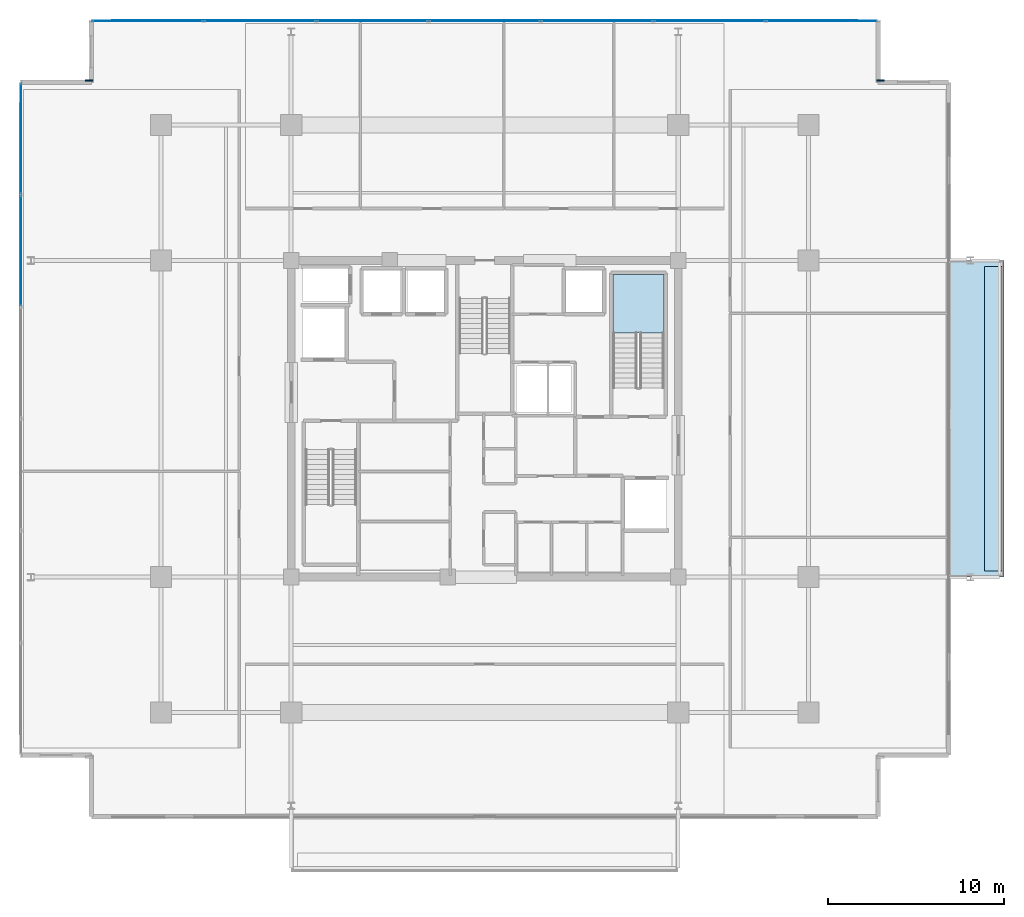
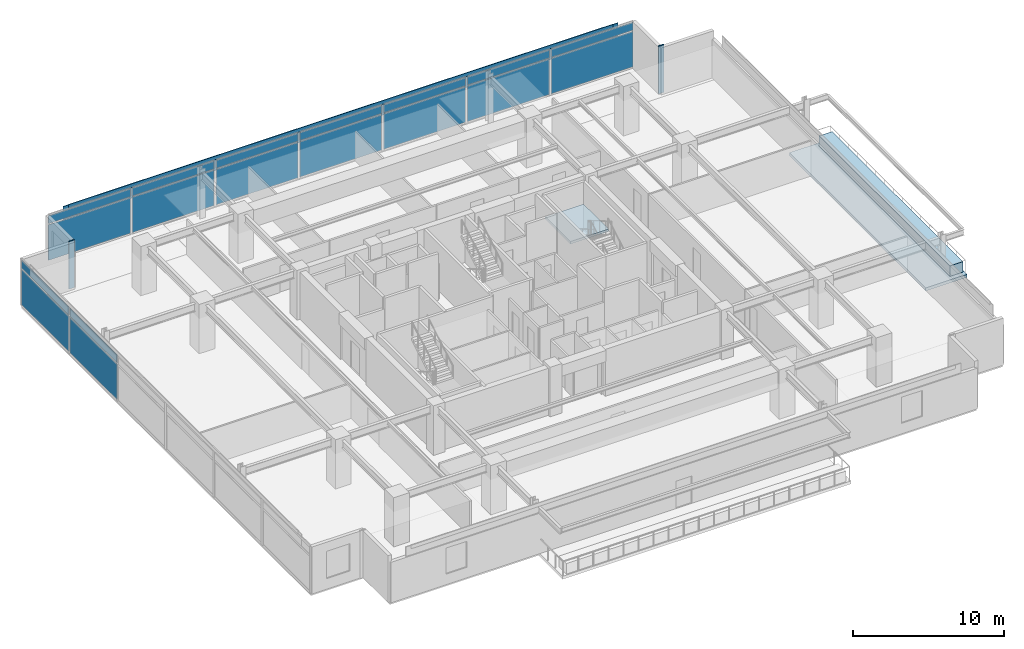
# One storey, part 15 of 24: 22 plates, 3 slabs, 3 elements without a shape of their own.
"""IFC4 building model written with IfcOpenShell, lengths in metres."""

from ifc_helpers import new_model, si_unit, direction, frame, origin, origin_2d, place, context, subcontext, project, spatial, polyline, rectangle, outline, extrude, material, layer, layer_set, type_object, element, aggregate, save


model = new_model("IFC4")

# Units and contexts
model_context = context("Model", 3, precision=1e-05, world=origin(), true_north=direction((0.0, 1.0)))
body_context = subcontext(model_context, "Body", "Model", "MODEL_VIEW")
ifc_project = project(units=[si_unit("LENGTHUNIT", "METRE"), si_unit("AREAUNIT", "SQUARE_METRE"), si_unit("VOLUMEUNIT", "CUBIC_METRE"), si_unit("PLANEANGLEUNIT", "RADIAN"), si_unit("MASSUNIT", "GRAM", prefix="KILO")], contexts=[model_context])

# Site, building, storey
site_placement = place(None, origin())
site = spatial("IfcSite", under=ifc_project, at=site_placement, CompositionType="ELEMENT")
building_placement = place(site_placement, origin())
building = spatial("IfcBuilding", under=site, at=building_placement, Name="Kovane Verandah Tower", CompositionType="ELEMENT")
storey_placement = place(building_placement, frame((0.0, 0.0, 259.199951171875)))
storey = spatial("IfcBuildingStorey", under=building, at=storey_placement, Name="L60", CompositionType="ELEMENT", Elevation=259.199951171875)

# Curtain wall, plates
ifc_material_1 = material(Name="Champagne Anodised Aluminium Frame with Low-E Clear Laminated Glass", Category="aluminium")
curtain_wall_type = type_object("IfcCurtainWallType", Name="CW-SYS-05-HIGH", PredefinedType="NOTDEFINED", material=ifc_material_1)
curtain_wall_1_placement = place(storey_placement, origin())
curtain_wall_1 = element("IfcCurtainWall", 1, at=curtain_wall_1_placement, inside=storey, type_object=curtain_wall_type, Name="L60 N Unitised Curtain Wall", PredefinedType="NOTDEFINED")
ifc_material_2 = material(Name="Pale Champagne Anodised Aluminium Insulated Spandrel", Category="aluminium")
ifc_layer_1 = layer(ifc_material_2, 0.0400390625)
ifc_layer_set_1 = layer_set([ifc_layer_1], Name="Pale Champagne Anodised Aluminium Insulated Spandrel")
plate_type_1 = type_object("IfcPlateType", Name="PL-CW-SPD-40", PredefinedType="SHEET", material=ifc_layer_set_1)
plate_1_placement = place(storey_placement, frame((59.17138671875, 50.1181640625, 3.05517578125), z_axis=(0.0, 0.0, 1.0), x_axis=(-1.0, 0.0, 0.0)))
plate_1 = element("IfcPlate", 2, at=plate_1_placement, type_object=plate_type_1, Name="L60 N Unitised Curtain Wall Spandrel Panel 1", PredefinedType="SHEET", context=body_context, shape_type="SweptSolid", body=[
    extrude(rectangle(XDim=6.25048828125, YDim=0.0400390625, at=origin_2d()), origin(), (0.0, 0.0, 1.0), 0.639892578125),
])
plate_2_placement = place(storey_placement, frame((52.781005859375, 50.1181640625, 3.05517578125), z_axis=(0.0, 0.0, 1.0), x_axis=(-1.0, 0.0, 0.0)))
plate_2 = element("IfcPlate", 3, at=plate_2_placement, type_object=plate_type_1, Name="L60 N Unitised Curtain Wall Spandrel Panel 2", PredefinedType="SHEET", context=body_context, shape_type="SweptSolid", body=[
    extrude(rectangle(XDim=6.25048828125, YDim=0.0400390625, at=origin_2d()), origin(), (0.0, 0.0, 1.0), 0.639892578125),
])
plate_3_placement = place(storey_placement, frame((46.390380859375, 50.1181640625, 3.05517578125), z_axis=(0.0, 0.0, 1.0), x_axis=(-1.0, 0.0, 0.0)))
plate_3 = element("IfcPlate", 4, at=plate_3_placement, type_object=plate_type_1, Name="L60 N Unitised Curtain Wall Spandrel Panel 3", PredefinedType="SHEET", context=body_context, shape_type="SweptSolid", body=[
    extrude(rectangle(XDim=6.25048828125, YDim=0.0400390625, at=origin_2d()), origin(), (0.0, 0.0, 1.0), 0.639892578125),
])
plate_4_placement = place(storey_placement, frame((40.0, 50.1181640625, 3.05517578125), z_axis=(0.0, 0.0, 1.0), x_axis=(-1.0, 0.0, 0.0)))
plate_4 = element("IfcPlate", 5, at=plate_4_placement, type_object=plate_type_1, Name="L60 N Unitised Curtain Wall Spandrel Panel 4", PredefinedType="SHEET", context=body_context, shape_type="SweptSolid", body=[
    extrude(rectangle(XDim=6.25048828125, YDim=0.0400390625, at=origin_2d()), origin(), (0.0, 0.0, 1.0), 0.639892578125),
])
plate_5_placement = place(storey_placement, frame((33.609619140625, 50.1181640625, 3.05517578125), z_axis=(0.0, 0.0, 1.0), x_axis=(-1.0, 0.0, 0.0)))
plate_5 = element("IfcPlate", 6, at=plate_5_placement, type_object=plate_type_1, Name="L60 N Unitised Curtain Wall Spandrel Panel 5", PredefinedType="SHEET", context=body_context, shape_type="SweptSolid", body=[
    extrude(rectangle(XDim=6.25048828125, YDim=0.0400390625, at=origin_2d()), origin(), (0.0, 0.0, 1.0), 0.639892578125),
])
plate_6_placement = place(storey_placement, frame((27.218994140625, 50.1181640625, 3.05517578125), z_axis=(0.0, 0.0, 1.0), x_axis=(-1.0, 0.0, 0.0)))
plate_6 = element("IfcPlate", 7, at=plate_6_placement, type_object=plate_type_1, Name="L60 N Unitised Curtain Wall Spandrel Panel 6", PredefinedType="SHEET", context=body_context, shape_type="SweptSolid", body=[
    extrude(rectangle(XDim=6.25048828125, YDim=0.0400390625, at=origin_2d()), origin(), (0.0, 0.0, 1.0), 0.639892578125),
])
plate_7_placement = place(storey_placement, frame((20.82861328125, 50.1181640625, 3.05517578125), z_axis=(0.0, 0.0, 1.0), x_axis=(-1.0, 0.0, 0.0)))
plate_7 = element("IfcPlate", 8, at=plate_7_placement, type_object=plate_type_1, Name="L60 N Unitised Curtain Wall Spandrel Panel 7", PredefinedType="SHEET", context=body_context, shape_type="SweptSolid", body=[
    extrude(rectangle(XDim=6.25048828125, YDim=0.0400390625, at=origin_2d()), origin(), (0.0, 0.0, 1.0), 0.639892578125),
])

curtain_wall_2_placement = place(storey_placement, origin())
curtain_wall_2 = element("IfcCurtainWall", 9, at=curtain_wall_2_placement, inside=storey, type_object=curtain_wall_type, Name="L60 W Unitised Curtain Wall", PredefinedType="NOTDEFINED")
plate_8_placement = place(storey_placement, frame((13.633544921875, 43.431884765625, 3.05517578125), z_axis=(0.0, 0.0, 1.0), x_axis=(0.0, -1.0, 0.0)))
plate_8 = element("IfcPlate", 10, at=plate_8_placement, type_object=plate_type_1, Name="L60 W Unitised Curtain Wall Spandrel Panel 1", PredefinedType="SHEET", context=body_context, shape_type="SweptSolid", body=[
    extrude(rectangle(XDim=6.232666015625, YDim=0.0400390625, at=origin_2d()), origin(), (0.0, 0.0, 1.0), 0.639892578125),
])
plate_9_placement = place(storey_placement, frame((13.633544921875, 37.05908203125, 3.05517578125), z_axis=(0.0, 0.0, 1.0), x_axis=(0.0, -1.0, 0.0)))
plate_9 = element("IfcPlate", 11, at=plate_9_placement, type_object=plate_type_1, Name="L60 W Unitised Curtain Wall Spandrel Panel 2", PredefinedType="SHEET", context=body_context, shape_type="SweptSolid", body=[
    extrude(rectangle(XDim=6.232666015625, YDim=0.0400390625, at=origin_2d()), origin(), (0.0, 0.0, 1.0), 0.639892578125),
])

# Plate
ifc_material_3 = material(Name="Clear Low-E Laminated Double Glazing", Category="glass")
ifc_layer_2 = layer(ifc_material_3, 0.031982421875)
ifc_layer_set_2 = layer_set([ifc_layer_2], Name="Clear Low-E Laminated Double Glazing")
plate_type_2 = type_object("IfcPlateType", Name="PL-CW-VIS-32", PredefinedType="CURTAIN_PANEL", material=ifc_layer_set_2)
plate_10_placement = place(storey_placement, frame((59.17138671875, 50.1181640625, 0.10009765625), z_axis=(0.0, 0.0, 1.0), x_axis=(-1.0, 0.0, 0.0)))
plate_10 = element("IfcPlate", 12, at=plate_10_placement, type_object=plate_type_2, Name="L60 N Unitised Curtain Wall Vision Panel 1", PredefinedType="CURTAIN_PANEL", context=body_context, shape_type="SweptSolid", body=[
    extrude(rectangle(XDim=6.25048828125, YDim=0.031982421875, at=origin_2d()), origin(), (0.0, 0.0, 1.0), 2.85498046875),
])

plate_11_placement = place(storey_placement, frame((52.781005859375, 50.1181640625, 0.10009765625), z_axis=(0.0, 0.0, 1.0), x_axis=(-1.0, 0.0, 0.0)))
plate_11 = element("IfcPlate", 13, at=plate_11_placement, type_object=plate_type_2, Name="L60 N Unitised Curtain Wall Vision Panel 2", PredefinedType="CURTAIN_PANEL", context=body_context, shape_type="SweptSolid", body=[
    extrude(rectangle(XDim=6.25048828125, YDim=0.031982421875, at=origin_2d()), origin(), (0.0, 0.0, 1.0), 2.85498046875),
])

plate_12_placement = place(storey_placement, frame((46.390380859375, 50.1181640625, 0.10009765625), z_axis=(0.0, 0.0, 1.0), x_axis=(-1.0, 0.0, 0.0)))
plate_12 = element("IfcPlate", 14, at=plate_12_placement, type_object=plate_type_2, Name="L60 N Unitised Curtain Wall Vision Panel 3", PredefinedType="CURTAIN_PANEL", context=body_context, shape_type="SweptSolid", body=[
    extrude(rectangle(XDim=6.25048828125, YDim=0.031982421875, at=origin_2d()), origin(), (0.0, 0.0, 1.0), 2.85498046875),
])

plate_13_placement = place(storey_placement, frame((40.0, 50.1181640625, 0.10009765625), z_axis=(0.0, 0.0, 1.0), x_axis=(-1.0, 0.0, 0.0)))
plate_13 = element("IfcPlate", 15, at=plate_13_placement, type_object=plate_type_2, Name="L60 N Unitised Curtain Wall Vision Panel 4", PredefinedType="CURTAIN_PANEL", context=body_context, shape_type="SweptSolid", body=[
    extrude(rectangle(XDim=6.25048828125, YDim=0.031982421875, at=origin_2d()), origin(), (0.0, 0.0, 1.0), 2.85498046875),
])

plate_14_placement = place(storey_placement, frame((33.609619140625, 50.1181640625, 0.10009765625), z_axis=(0.0, 0.0, 1.0), x_axis=(-1.0, 0.0, 0.0)))
plate_14 = element("IfcPlate", 16, at=plate_14_placement, type_object=plate_type_2, Name="L60 N Unitised Curtain Wall Vision Panel 5", PredefinedType="CURTAIN_PANEL", context=body_context, shape_type="SweptSolid", body=[
    extrude(rectangle(XDim=6.25048828125, YDim=0.031982421875, at=origin_2d()), origin(), (0.0, 0.0, 1.0), 2.85498046875),
])

plate_15_placement = place(storey_placement, frame((27.218994140625, 50.1181640625, 0.10009765625), z_axis=(0.0, 0.0, 1.0), x_axis=(-1.0, 0.0, 0.0)))
plate_15 = element("IfcPlate", 17, at=plate_15_placement, type_object=plate_type_2, Name="L60 N Unitised Curtain Wall Vision Panel 6", PredefinedType="CURTAIN_PANEL", context=body_context, shape_type="SweptSolid", body=[
    extrude(rectangle(XDim=6.25048828125, YDim=0.031982421875, at=origin_2d()), origin(), (0.0, 0.0, 1.0), 2.85498046875),
])

plate_16_placement = place(storey_placement, frame((20.82861328125, 50.1181640625, 0.10009765625), z_axis=(0.0, 0.0, 1.0), x_axis=(-1.0, 0.0, 0.0)))
plate_16 = element("IfcPlate", 18, at=plate_16_placement, type_object=plate_type_2, Name="L60 N Unitised Curtain Wall Vision Panel 7", PredefinedType="CURTAIN_PANEL", context=body_context, shape_type="SweptSolid", body=[
    extrude(rectangle(XDim=6.25048828125, YDim=0.031982421875, at=origin_2d()), origin(), (0.0, 0.0, 1.0), 2.85498046875),
])

aggregate(curtain_wall_1, [plate_10, plate_1, plate_11, plate_2, plate_12, plate_3, plate_13, plate_4, plate_14, plate_5, plate_15, plate_6, plate_16, plate_7])

plate_17_placement = place(storey_placement, frame((13.633544921875, 43.431884765625, 0.10009765625), z_axis=(0.0, 0.0, 1.0), x_axis=(0.0, -1.0, 0.0)))
plate_17 = element("IfcPlate", 19, at=plate_17_placement, type_object=plate_type_2, Name="L60 W Unitised Curtain Wall Vision Panel 1", PredefinedType="CURTAIN_PANEL", context=body_context, shape_type="SweptSolid", body=[
    extrude(rectangle(XDim=6.232666015625, YDim=0.031982421875, at=origin_2d()), origin(), (0.0, 0.0, 1.0), 2.85498046875),
])

plate_18_placement = place(storey_placement, frame((13.633544921875, 37.05908203125, 0.10009765625), z_axis=(0.0, 0.0, 1.0), x_axis=(0.0, -1.0, 0.0)))
plate_18 = element("IfcPlate", 20, at=plate_18_placement, type_object=plate_type_2, Name="L60 W Unitised Curtain Wall Vision Panel 2", PredefinedType="CURTAIN_PANEL", context=body_context, shape_type="SweptSolid", body=[
    extrude(rectangle(XDim=6.232666015625, YDim=0.031982421875, at=origin_2d()), origin(), (0.0, 0.0, 1.0), 2.85498046875),
])

aggregate(curtain_wall_2, [plate_17, plate_8, plate_18, plate_9])

# Plates
ifc_material_4 = material(Name="Timber-Toned Subtropical Aluminium Vertical Blade", Category="wood")
ifc_layer_3 = layer(ifc_material_4, 0.090087890625)
ifc_layer_set_3 = layer_set([ifc_layer_3], Name="Timber-Toned Subtropical Aluminium Vertical Blade")
plate_type_3 = type_object("IfcPlateType", Name="PL-FIN-90", PredefinedType="USERDEFINED", material=ifc_layer_set_3)
for number, where, z_axis, x_axis, name in (
    (21, (62.486572265625, 46.73828125, -0.02001953125), (0.0, 0.0, 1.0), (1.0, 0.0, 0.0), "L60 NE Timber-Toned Vertical Corner Fin"),
    (22, (17.513427734375, 46.73828125, -0.02001953125), (0.0, 0.0, 1.0), (1.0, 0.0, 0.0), "L60 NW Timber-Toned Vertical Corner Fin"),
):
    element("IfcPlate", number, at=place(storey_placement, frame(where, z_axis=z_axis, x_axis=x_axis)), inside=storey, type_object=plate_type_3, Name=name, ObjectType="FIN", PredefinedType="USERDEFINED", context=body_context, shape_type="SweptSolid", body=[
        extrude(rectangle(XDim=0.419921875, YDim=0.090087890625, at=origin_2d()), origin(), (0.0, 0.0, 1.0), 3.844970703125),
    ])
ifc_material_5 = material(Name="Perforated Pale Champagne Anodised Aluminium Solar Screen", Category="aluminium")
ifc_layer_4 = layer(ifc_material_5, 0.050048828125)
ifc_layer_set_4 = layer_set([ifc_layer_4], Name="Perforated Pale Champagne Anodised Aluminium Solar Screen")
plate_type_4 = type_object("IfcPlateType", Name="PL-SCREEN-50", PredefinedType="USERDEFINED", material=ifc_layer_set_4)
plate_19_placement = place(storey_placement, frame((40.0, 50.13330078125, 2.885009765625), z_axis=(0.0, 0.0, 1.0), x_axis=(-1.0, 0.0, 0.0)))
element("IfcPlate", 23, at=plate_19_placement, inside=storey, type_object=plate_type_4, Name="L60 N Perforated Champagne-Gold Solar Screen", ObjectType="SCREEN", PredefinedType="USERDEFINED", context=body_context, shape_type="SweptSolid", body=[
    extrude(rectangle(XDim=42.3330078125, YDim=0.050048828125, at=origin_2d()), origin(), (0.0, 0.0, 1.0), 1.14990234375),
])
ifc_material_6 = material(Name="Extruded Pale-Bronze Aluminium Aerofoil Sunshade", Category="aluminium")
ifc_layer_5 = layer(ifc_material_6, 0.06005859375)
ifc_layer_set_5 = layer_set([ifc_layer_5], Name="Extruded Pale-Bronze Aluminium Aerofoil Sunshade")
plate_type_5 = type_object("IfcPlateType", Name="PL-SUNSHADE-60", PredefinedType="USERDEFINED", material=ifc_layer_set_5)
plate_20_placement = place(storey_placement, frame((40.0, 50.13818359375, 3.76513671875), z_axis=(0.0, 0.0, 1.0), x_axis=(-1.0, 0.0, 0.0)))
element("IfcPlate", 24, at=plate_20_placement, inside=storey, type_object=plate_type_5, Name="L60 N Subtropical Aerofoil Sunshade", ObjectType="SUNSHADE", PredefinedType="USERDEFINED", context=body_context, shape_type="SweptSolid", body=[
    extrude(rectangle(XDim=41.532958984375, YDim=0.06005859375, at=origin_2d()), origin(), (0.0, 0.0, 1.0), 0.280029296875),
])

# Slab
ifc_material_7 = material(Name="Concrete C45/55", Category="concrete")
ifc_layer_6 = layer(ifc_material_7, 0.239990234375)
ifc_layer_set_6 = layer_set([ifc_layer_6], Name="Concrete C45/55")
slab_type_1 = type_object("IfcSlabType", Name="SL-BALC-240", PredefinedType="FLOOR", material=ifc_layer_set_6)
slab_1_placement = place(storey_placement, frame((0.0, 0.0, -0.239990234375)))
element("IfcSlab", 25, at=slab_1_placement, inside=storey, type_object=slab_type_1, Name="L60 E Planted Verandah Balcony Slab", PredefinedType="FLOOR", context=body_context, shape_type="SweptSolid", body=[
    extrude(outline(polyline([(66.366455078125, 18.5), (69.5166015625, 18.5), (69.5166015625, 36.5), (66.366455078125, 36.5), (66.366455078125, 18.5)])), origin(), (0.0, 0.0, 1.0), 0.239990234375),
])

# Stair, slab
stair_type = type_object("IfcStairType", Name="ST-CORE-1380", PredefinedType="HALF_TURN_STAIR", material=ifc_material_7)
stair_placement = place(storey_placement, origin())
stair = element("IfcStair", 26, at=stair_placement, inside=storey, type_object=stair_type, Name="L60 Exit Stair ST-02", PredefinedType="HALF_TURN_STAIR")
ifc_layer_7 = layer(ifc_material_7, 0.199951171875)
ifc_layer_set_7 = layer_set([ifc_layer_7], Name="Concrete C45/55")
slab_type_2 = type_object("IfcSlabType", Name="SL-LAND-200", PredefinedType="LANDING", material=ifc_layer_set_7)
slab_2_placement = place(storey_placement, frame((0.0, 0.0, 1.800048828125)))
slab_2 = element("IfcSlab", 27, at=slab_2_placement, type_object=slab_type_2, Name="ST-02 landing 1", PredefinedType="LANDING", context=body_context, shape_type="SweptSolid", body=[
    extrude(outline(polyline([(50.199951171875, 32.385009765625), (50.199951171875, 35.699951171875), (47.280029296875, 35.699951171875), (47.280029296875, 32.385009765625), (50.199951171875, 32.385009765625)])), origin(), (0.0, 0.0, 1.0), 0.199951171875),
])
aggregate(stair, [slab_2])

# Slab
ifc_material_8 = material(Name="Architectural Precast Concrete C45/55 Planter Trough", Category="concrete")
ifc_layer_8 = layer(ifc_material_8, 0.219970703125)
ifc_layer_set_8 = layer_set([ifc_layer_8], Name="Architectural Precast Concrete C45/55 Planter Trough")
slab_type_3 = type_object("IfcSlabType", Name="SL-PLANTER-220", PredefinedType="USERDEFINED", material=ifc_layer_set_8)
slab_3_placement = place(storey_placement, origin())
element("IfcSlab", 28, at=slab_3_placement, inside=storey, type_object=slab_type_3, Name="L60 E Structural Tree Planter", ObjectType="PLANTER", PredefinedType="USERDEFINED", context=body_context, shape_type="SweptSolid", body=[
    extrude(outline(polyline([(68.41650390625, 18.85009765625), (69.41650390625, 18.85009765625), (69.41650390625, 36.14990234375), (68.41650390625, 36.14990234375), (68.41650390625, 18.85009765625)])), origin(), (0.0, 0.0, 1.0), 0.85009765625),
])

save(model, "model.ifc")
